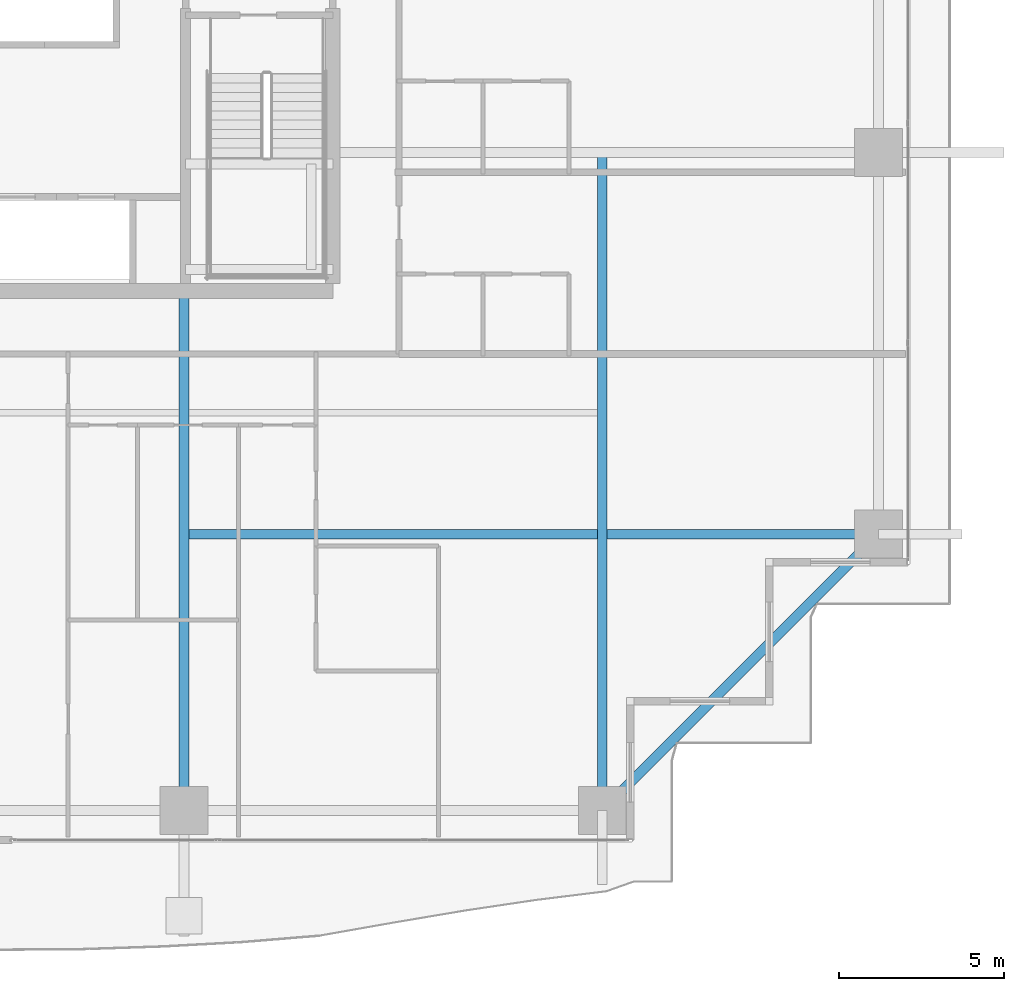
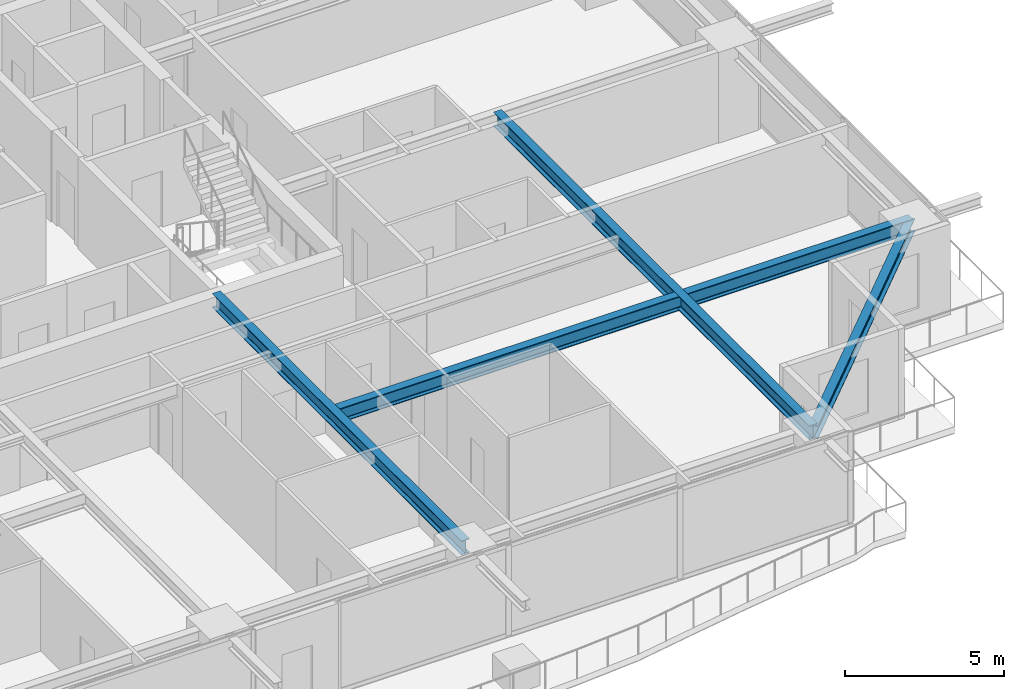
# One storey, part 12 of 40: 4 beams.
"""IFC4 building model written with IfcOpenShell, lengths in metres."""

from ifc_helpers import new_model, si_unit, direction, frame, origin, origin_2d, place, context, subcontext, project, spatial, i_section, extrude, source, transform, mapped, material, material_profile, profile_set, type_object, element, save


model = new_model("IFC4")

# Units and contexts
model_context = context("Model", 3, precision=1e-05, world=origin(), true_north=direction((0.0, 1.0)))
body_context = subcontext(model_context, "Body", "Model", "MODEL_VIEW")
ifc_project = project(units=[si_unit("LENGTHUNIT", "METRE"), si_unit("AREAUNIT", "SQUARE_METRE"), si_unit("VOLUMEUNIT", "CUBIC_METRE"), si_unit("PLANEANGLEUNIT", "RADIAN"), si_unit("MASSUNIT", "GRAM", prefix="KILO")], contexts=[model_context])

# Site, building, storey
site_placement = place(None, origin())
site = spatial("IfcSite", under=ifc_project, at=site_placement, CompositionType="ELEMENT")
building_placement = place(site_placement, origin())
building = spatial("IfcBuilding", under=site, at=building_placement, Name="Serunith Strait Residences", CompositionType="ELEMENT")
storey_placement = place(building_placement, frame((0.0, 0.0, 90.449951171875)))
storey = spatial("IfcBuildingStorey", under=building, at=storey_placement, Name="L22", CompositionType="ELEMENT", Elevation=90.449951171875)

# Beams
ifc_material = material(Name="Steel S355J2", Category="steel")
ifc_material_profile_1 = material_profile(ifc_material, i_section(OverallWidth=0.300048828125, OverallDepth=0.550048828125, WebThickness=0.014892578125, FlangeThickness=0.029052734375, FilletRadius=0.027099609375, at=origin_2d()), Name="HEB 550")
ifc_profile_set_1 = profile_set([ifc_material_profile_1], Name="Steel S355J2")
beam_type_1 = type_object("IfcBeamType", Name="BM-HEB550", PredefinedType="BEAM", material=ifc_profile_set_1)
shared_shape_1 = source(origin(), body_context, "Body", "SweptSolid", [
    extrude(i_section(OverallWidth=0.300048828125, OverallDepth=0.550048828125, WebThickness=0.014892578125, FlangeThickness=0.029052734375, FilletRadius=0.027099609375, at=origin_2d()), origin(), (0.0, 0.0, 1.0), 15.699951171875),
])
beam_1_placement = place(storey_placement, frame((36.89990234375, 16.800048828125, 3.212158203125), z_axis=(0.0, -1.0, 0.0), x_axis=(1.0, 0.0, 0.0)))
element("IfcBeam", 1, at=beam_1_placement, inside=storey, type_object=beam_type_1, Name="L22 Primary Floor Girder TC-S3", PredefinedType="BEAM", context=body_context, shape_type="MappedRepresentation", body=[
    mapped(shared_shape_1, transform((0.0, 0.0, 0.0), scale=1.0)),
])
shared_shape_2 = source(origin(), body_context, "Body", "SweptSolid", [
    extrude(i_section(OverallWidth=0.300048828125, OverallDepth=0.550048828125, WebThickness=0.014892578125, FlangeThickness=0.029052734375, FilletRadius=0.027099609375, at=origin_2d()), origin(), (0.0, 0.0, 1.0), 19.89990234375),
])
beam_2_placement = place(storey_placement, frame((49.550048828125, 21.0, 3.212158203125), z_axis=(0.0, -1.0, 0.0), x_axis=(1.0, 0.0, 0.0)))
element("IfcBeam", 2, at=beam_2_placement, inside=storey, type_object=beam_type_1, Name="L22 Orthogonal Corner Girder TC-S4", PredefinedType="BEAM", context=body_context, shape_type="MappedRepresentation", body=[
    mapped(shared_shape_2, transform((0.0, 0.0, 0.0), scale=1.0)),
])
shared_shape_3 = source(origin(), body_context, "Body", "SweptSolid", [
    extrude(i_section(OverallWidth=0.300048828125, OverallDepth=0.550048828125, WebThickness=0.014892578125, FlangeThickness=0.029052734375, FilletRadius=0.027099609375, at=origin_2d()), origin(), (0.0, 0.0, 1.0), 21.0),
])
beam_3_placement = place(storey_placement, frame((36.89990234375, 9.449951171875, 3.212158203125), z_axis=(1.0, 0.0, 0.0), x_axis=(0.0, 1.0, 0.0)))
element("IfcBeam", 3, at=beam_3_placement, inside=storey, type_object=beam_type_1, Name="L22 Orthogonal Corner Girder TC-E1", PredefinedType="BEAM", context=body_context, shape_type="MappedRepresentation", body=[
    mapped(shared_shape_3, transform((0.0, 0.0, 0.0), scale=1.0)),
])
ifc_material_profile_2 = material_profile(ifc_material, i_section(OverallWidth=0.300048828125, OverallDepth=0.5, WebThickness=0.014404296875, FlangeThickness=0.028076171875, FilletRadius=0.027099609375, at=origin_2d()), Name="HEB 500")
ifc_profile_set_2 = profile_set([ifc_material_profile_2], Name="Steel S355J2")
beam_type_2 = type_object("IfcBeamType", Name="BM-HEB500", PredefinedType="BEAM", material=ifc_profile_set_2)
shared_shape_4 = source(origin(), body_context, "Body", "SweptSolid", [
    extrude(i_section(OverallWidth=0.300048828125, OverallDepth=0.5, WebThickness=0.014404296875, FlangeThickness=0.028076171875, FilletRadius=0.027099609375, at=origin_2d()), origin(), (0.0, 0.0, 1.0), 11.80859375),
])
beam_4_placement = place(storey_placement, frame((49.550048828125, 1.10009765625, 3.20703125), z_axis=(0.707106781187, 0.707106781187, 0.0), x_axis=(-0.707106781187, 0.707106781187, 0.0)))
element("IfcBeam", 4, at=beam_4_placement, inside=storey, type_object=beam_type_2, Name="L22 Perimeter Ring Beam 04", PredefinedType="BEAM", context=body_context, shape_type="MappedRepresentation", body=[
    mapped(shared_shape_4, transform((0.0, 0.0, 0.0), scale=1.0)),
])

save(model, "model.ifc")
